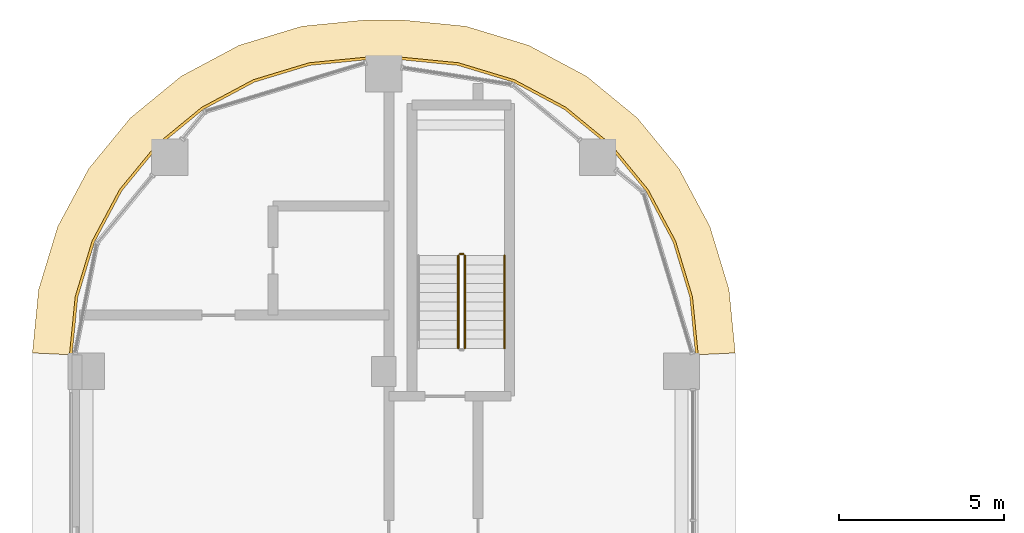
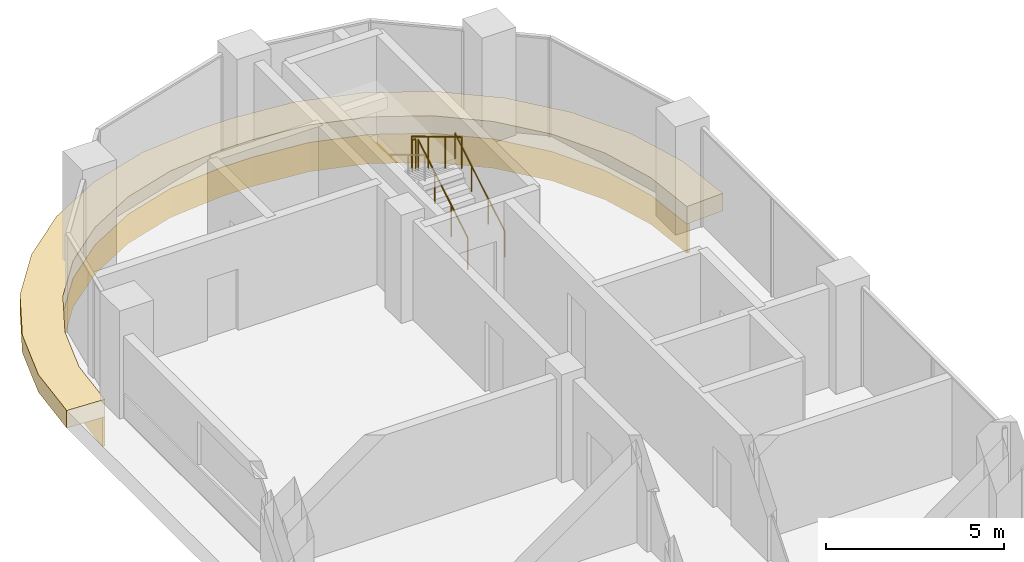
# One storey, part 23 of 24: 4 railings, 2 coverings.
"""IFC4 building model written with IfcOpenShell, lengths in metres."""

from ifc_helpers import new_model, si_unit, direction, frame, origin, origin_2d, place, context, subcontext, project, spatial, polyline, circle, outline, extrude, material, layer, layer_set, type_object, element, save


model = new_model("IFC4")

# Units and contexts
model_context = context("Model", 3, precision=1e-05, world=origin(), true_north=direction((0.0, 1.0)))
body_context = subcontext(model_context, "Body", "Model", "MODEL_VIEW")
ifc_project = project(units=[si_unit("LENGTHUNIT", "METRE"), si_unit("AREAUNIT", "SQUARE_METRE"), si_unit("VOLUMEUNIT", "CUBIC_METRE"), si_unit("PLANEANGLEUNIT", "RADIAN"), si_unit("MASSUNIT", "GRAM", prefix="KILO")], contexts=[model_context])

# Site, building, storey
site_placement = place(None, origin())
site = spatial("IfcSite", under=ifc_project, at=site_placement, CompositionType="ELEMENT")
building_placement = place(site_placement, origin())
building = spatial("IfcBuilding", under=site, at=building_placement, Name="Ogive Portal Towers", CompositionType="ELEMENT")
storey_placement = place(building_placement, frame((0.0, 0.0, 153.300048828125)))
storey = spatial("IfcBuildingStorey", under=building, at=storey_placement, Name="L37", CompositionType="ELEMENT", Elevation=153.300048828125)

# Railings
ifc_material_1 = material(Name="Stainless steel balustrade", Category="steel")
railing_type_1 = type_object("IfcRailingType", Name="INT-GUARD", PredefinedType="GUARDRAIL", material=ifc_material_1)
railing_1_placement = place(storey_placement, frame((42.949951171875, 67.199951171875, 0.168212890625)))
element("IfcRailing", 1, at=railing_1_placement, inside=storey, type_object=railing_type_1, Name="L37 ST-A3 stair guard 1", PredefinedType="GUARDRAIL", context=body_context, shape_type="SweptSolid", body=[
    extrude(circle(Radius=0.02392578125, at=origin_2d()), frame((0.0, 0.0, 1.076171875), z_axis=(0.0, 0.857275202839, 0.514858452973), x_axis=(-1.0, 0.0, 0.0)), (0.0, 0.0, 1.0), 3.26611328125),
    extrude(circle(Radius=0.02099609375, at=origin_2d()), origin(), (0.0, 0.0, 1.0), 1.052001953125),
    extrude(circle(Radius=0.02099609375, at=origin_2d()), frame((0.0, 0.933349609375, 0.560546875)), (0.0, 0.0, 1.0), 1.052001953125),
    extrude(circle(Radius=0.02099609375, at=origin_2d()), frame((0.0, 1.86669921875, 1.12109375)), (0.0, 0.0, 1.0), 1.052001953125),
    extrude(circle(Radius=0.02099609375, at=origin_2d()), frame((0.0, 2.800048828125, 1.681640625)), (0.0, 0.0, 1.0), 1.052001953125),
])
railing_2_placement = place(storey_placement, frame((42.89990234375, 70.050048828125, 1.849853515625)))
element("IfcRailing", 2, at=railing_2_placement, inside=storey, type_object=railing_type_1, Name="L37 ST-A3 stair guard 2", PredefinedType="GUARDRAIL", context=body_context, shape_type="SweptSolid", body=[
    extrude(circle(Radius=0.02392578125, at=origin_2d()), frame((0.0, 0.0, 1.076171875), z_axis=(-1.0, 0.0, 0.0), x_axis=(0.0, -1.0, 0.0)), (0.0, 0.0, 1.0), 0.099853515625),
    extrude(circle(Radius=0.02099609375, at=origin_2d()), origin(), (0.0, 0.0, 1.0), 1.052001953125),
    extrude(circle(Radius=0.02099609375, at=origin_2d()), frame((-0.099853515625, 0.0, 0.0)), (0.0, 0.0, 1.0), 1.052001953125),
])
railing_3_placement = place(storey_placement, frame((42.75, 70.0, 2.01806640625)))
element("IfcRailing", 3, at=railing_3_placement, inside=storey, type_object=railing_type_1, Name="L37 ST-A3 stair guard 3", PredefinedType="GUARDRAIL", context=body_context, shape_type="SweptSolid", body=[
    extrude(circle(Radius=0.02392578125, at=origin_2d()), frame((0.0, 0.0, 1.076171875), z_axis=(0.0, -0.857242210791, 0.514913383045), x_axis=(1.0, 0.0, 0.0)), (0.0, 0.0, 1.0), 3.266357421875),
    extrude(circle(Radius=0.02099609375, at=origin_2d()), origin(), (0.0, 0.0, 1.0), 1.052001953125),
    extrude(circle(Radius=0.02099609375, at=origin_2d()), frame((0.0, -0.933349609375, 0.560546875)), (0.0, 0.0, 1.0), 1.052001953125),
    extrude(circle(Radius=0.02099609375, at=origin_2d()), frame((0.0, -1.86669921875, 1.121337890625)), (0.0, 0.0, 1.0), 1.052001953125),
    extrude(circle(Radius=0.02099609375, at=origin_2d()), frame((0.0, -2.800048828125, 1.681884765625)), (0.0, 0.0, 1.0), 1.052001953125),
])
ifc_material_2 = material(Name="Stainless steel handrail", Category="steel")
railing_type_2 = type_object("IfcRailingType", Name="INT-HANDRAIL", PredefinedType="HANDRAIL", material=ifc_material_2)
railing_4_placement = place(storey_placement, frame((44.14990234375, 67.199951171875, 0.168212890625)))
element("IfcRailing", 4, at=railing_4_placement, inside=storey, type_object=railing_type_2, Name="L37 ST-A3 stair handrail 1", PredefinedType="HANDRAIL", context=body_context, shape_type="SweptSolid", body=[
    extrude(circle(Radius=0.02392578125, at=origin_2d()), frame((0.0, 0.0, 0.8759765625), z_axis=(0.0, 0.857275202839, 0.514858452973), x_axis=(-1.0, 0.0, 0.0)), (0.0, 0.0, 1.0), 3.26611328125),
    extrude(circle(Radius=0.02099609375, at=origin_2d()), origin(), (0.0, 0.0, 1.0), 0.851806640625),
    extrude(circle(Radius=0.02099609375, at=origin_2d()), frame((0.0, 0.933349609375, 0.560546875)), (0.0, 0.0, 1.0), 0.851806640625),
    extrude(circle(Radius=0.02099609375, at=origin_2d()), frame((0.0, 1.86669921875, 1.12109375)), (0.0, 0.0, 1.0), 0.851806640625),
    extrude(circle(Radius=0.02099609375, at=origin_2d()), frame((0.0, 2.800048828125, 1.681640625)), (0.0, 0.0, 1.0), 0.851806640625),
])

# Coverings
ifc_material_3 = material(Name="Limestone cladding on lightweight block wall", Category="masonry")
ifc_layer_1 = layer(ifc_material_3, 0.080078125)
ifc_layer_set_1 = layer_set([ifc_layer_1], Name="STONE SPANDREL 80")
covering_type_1 = type_object("IfcCoveringType", Name="STONE SPANDREL 80", PredefinedType="CLADDING", material=ifc_layer_set_1)
covering_1_placement = place(storey_placement, frame((0.0, 0.0, -1.60009765625)))
element("IfcCovering", 5, at=covering_1_placement, inside=storey, type_object=covering_type_1, Name="Stone spandrel A1-F05", PredefinedType="CLADDING", context=body_context, shape_type="SweptSolid", body=[
    extrude(outline(polyline([(49.925048828125, 67.0), (49.75341796875, 68.7412109375), (49.24560546875, 70.41552734375), (48.4208984375, 71.95849609375), (47.31103515625, 73.31103515625), (45.95849609375, 74.4208984375), (44.41552734375, 75.24560546875), (42.7412109375, 75.75341796875), (41.0, 75.925048828125), (40.0, 75.925048828125), (38.2587890625, 75.75341796875), (36.58447265625, 75.24560546875), (35.04150390625, 74.4208984375), (33.68896484375, 73.31103515625), (32.5791015625, 71.95849609375), (31.75439453125, 70.41552734375), (31.24658203125, 68.7412109375), (31.074951171875, 67.0), (30.9951171875, 67.00390625), (31.167724609375, 68.7568359375), (31.68017578125, 70.4462890625), (32.51220703125, 72.003173828125), (33.63232421875, 73.36767578125), (34.996826171875, 74.48779296875), (36.5537109375, 75.31982421875), (38.2431640625, 75.832275390625), (39.99609375, 76.0048828125), (41.00390625, 76.0048828125), (42.7568359375, 75.832275390625), (44.4462890625, 75.31982421875), (46.003173828125, 74.48779296875), (47.36767578125, 73.36767578125), (48.48779296875, 72.003173828125), (49.31982421875, 70.4462890625), (49.832275390625, 68.7568359375), (50.0048828125, 67.00390625), (49.925048828125, 67.0)])), origin(), (0.0, 0.0, 1.0), 1.0),
])
ifc_layer_2 = layer(ifc_material_3, 0.60009765625)
ifc_layer_set_2 = layer_set([ifc_layer_2], Name="SUNSHADE LIP 600")
covering_type_2 = type_object("IfcCoveringType", Name="SUNSHADE LIP 600", PredefinedType="CLADDING", material=ifc_layer_set_2)
covering_2_placement = place(storey_placement, frame((0.0, 0.0, -0.60009765625)))
element("IfcCovering", 6, at=covering_2_placement, inside=storey, type_object=covering_type_2, Name="Sunshade lip A1-F05", PredefinedType="CLADDING", context=body_context, shape_type="SweptSolid", body=[
    extrude(outline(polyline([(49.925048828125, 67.0), (49.75341796875, 68.7412109375), (49.24560546875, 70.41552734375), (48.4208984375, 71.95849609375), (47.31103515625, 73.31103515625), (45.95849609375, 74.4208984375), (44.41552734375, 75.24560546875), (42.7412109375, 75.75341796875), (41.0, 75.925048828125), (40.0, 75.925048828125), (38.2587890625, 75.75341796875), (36.58447265625, 75.24560546875), (35.04150390625, 74.4208984375), (33.68896484375, 73.31103515625), (32.5791015625, 71.95849609375), (31.75439453125, 70.41552734375), (31.24658203125, 68.7412109375), (31.074951171875, 67.0), (29.875, 67.058837890625), (30.06396484375, 68.976318359375), (30.640380859375, 70.876953125), (31.57666015625, 72.62841796875), (32.83642578125, 74.16357421875), (34.37158203125, 75.42333984375), (36.123046875, 76.359619140625), (38.023681640625, 76.93603515625), (39.941162109375, 77.125), (41.058837890625, 77.125), (42.976318359375, 76.93603515625), (44.876953125, 76.359619140625), (46.62841796875, 75.42333984375), (48.16357421875, 74.16357421875), (49.42333984375, 72.62841796875), (50.359619140625, 70.876953125), (50.93603515625, 68.976318359375), (51.125, 67.058837890625), (49.925048828125, 67.0)])), origin(), (0.0, 0.0, 1.0), 0.60009765625),
])

save(model, "model.ifc")
